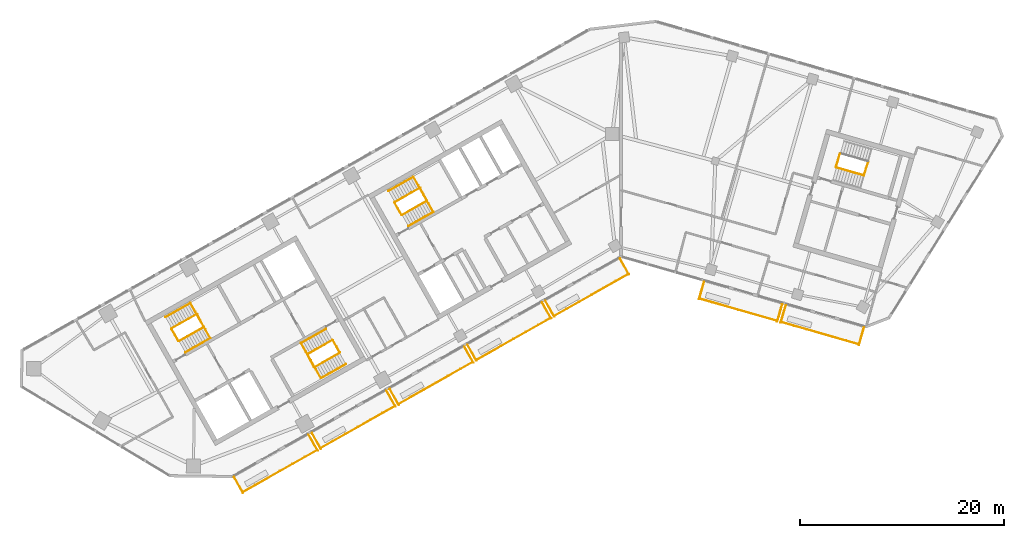
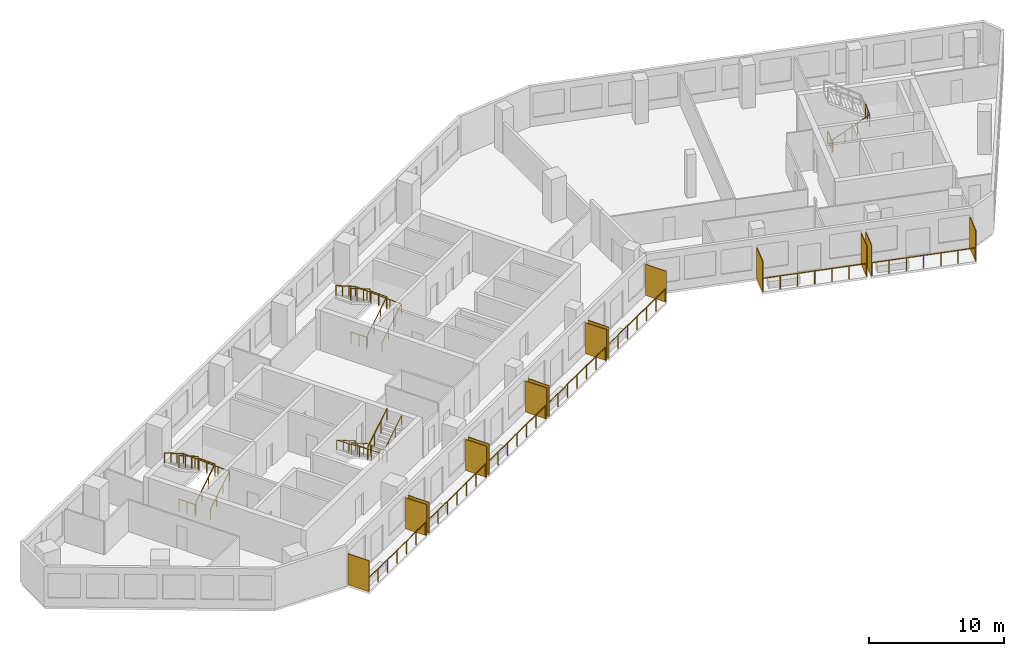
# One storey, part 10 of 12: 21 railings, 14 shading devices.
"""IFC4 building model written with IfcOpenShell, lengths in metres."""

from ifc_helpers import new_model, si_unit, direction, frame, origin, origin_2d, place, context, subcontext, project, spatial, rectangle, circle, extrude, material, layer, layer_set, type_object, element, save


model = new_model("IFC4")

# Units and contexts
model_context = context("Model", 3, precision=1e-05, world=origin(), true_north=direction((0.0, 1.0)))
body_context = subcontext(model_context, "Body", "Model", "MODEL_VIEW")
ifc_project = project(units=[si_unit("LENGTHUNIT", "METRE"), si_unit("AREAUNIT", "SQUARE_METRE"), si_unit("VOLUMEUNIT", "CUBIC_METRE"), si_unit("PLANEANGLEUNIT", "RADIAN"), si_unit("MASSUNIT", "GRAM", prefix="KILO")], contexts=[model_context])

# Site, building, storey
site_placement = place(None, origin())
site = spatial("IfcSite", under=ifc_project, at=site_placement, CompositionType="ELEMENT")
building_placement = place(site_placement, origin())
building = spatial("IfcBuilding", under=site, at=building_placement, Name="Binnacle Exchange Tower", CompositionType="ELEMENT")
storey_placement = place(building_placement, frame((0.0, 0.0, 242.60009765625)))
storey = spatial("IfcBuildingStorey", under=building, at=storey_placement, Name="L53", CompositionType="ELEMENT", Elevation=242.60009765625)

# Railings
ifc_material_1 = material(Name="Bronze anodised aluminium frame", Category="aluminium")
railing_type_1 = type_object("IfcRailingType", Name="GUARD 1200", PredefinedType="GUARDRAIL", material=ifc_material_1)
railing_1_placement = place(storey_placement, frame((-37.006591796875, 24.94287109375, 0.0)))
element("IfcRailing", 1, at=railing_1_placement, inside=storey, type_object=railing_type_1, Name="Balcony guard G01-B00 L53", PredefinedType="GUARDRAIL", context=body_context, shape_type="SweptSolid", body=[
    extrude(circle(Radius=0.02392578125, at=origin_2d()), frame((0.0, 0.0, 1.17578125), z_axis=(0.870353267448, 0.492427852424, 0.0), x_axis=(-0.492427852424, 0.870353267448, 0.0)), (0.0, 0.0, 1.0), 8.334716796875),
    extrude(circle(Radius=0.02099609375, at=origin_2d()), origin(), (0.0, 0.0, 1.0), 1.15185546875),
    extrude(circle(Radius=0.02099609375, at=origin_2d()), frame((1.208984375, 0.68408203125, 0.0)), (0.0, 0.0, 1.0), 1.15185546875),
    extrude(circle(Radius=0.02099609375, at=origin_2d()), frame((2.41796875, 1.3681640625, 0.0)), (0.0, 0.0, 1.0), 1.15185546875),
    extrude(circle(Radius=0.02099609375, at=origin_2d()), frame((3.626953125, 2.05224609375, 0.0)), (0.0, 0.0, 1.0), 1.15185546875),
    extrude(circle(Radius=0.02099609375, at=origin_2d()), frame((4.836181640625, 2.736083984375, 0.0)), (0.0, 0.0, 1.0), 1.15185546875),
    extrude(circle(Radius=0.02099609375, at=origin_2d()), frame((6.045166015625, 3.420166015625, 0.0)), (0.0, 0.0, 1.0), 1.15185546875),
    extrude(circle(Radius=0.02099609375, at=origin_2d()), frame((7.254150390625, 4.104248046875, 0.0)), (0.0, 0.0, 1.0), 1.15185546875),
])
railing_2_placement = place(storey_placement, frame((-29.386962890625, 29.25390625, 0.0)))
element("IfcRailing", 2, at=railing_2_placement, inside=storey, type_object=railing_type_1, Name="Balcony guard G01-B01 L53", PredefinedType="GUARDRAIL", context=body_context, shape_type="SweptSolid", body=[
    extrude(circle(Radius=0.02392578125, at=origin_2d()), frame((0.0, 0.0, 1.17578125), z_axis=(0.870365821494, 0.492405662818, 0.0), x_axis=(-0.492405662818, 0.870365821494, 0.0)), (0.0, 0.0, 1.0), 8.334716796875),
    extrude(circle(Radius=0.02099609375, at=origin_2d()), origin(), (0.0, 0.0, 1.0), 1.15185546875),
    extrude(circle(Radius=0.02099609375, at=origin_2d()), frame((1.208984375, 0.68408203125, 0.0)), (0.0, 0.0, 1.0), 1.15185546875),
    extrude(circle(Radius=0.02099609375, at=origin_2d()), frame((2.41796875, 1.367919921875, 0.0)), (0.0, 0.0, 1.0), 1.15185546875),
    extrude(circle(Radius=0.02099609375, at=origin_2d()), frame((3.626953125, 2.052001953125, 0.0)), (0.0, 0.0, 1.0), 1.15185546875),
    extrude(circle(Radius=0.02099609375, at=origin_2d()), frame((4.836181640625, 2.736083984375, 0.0)), (0.0, 0.0, 1.0), 1.15185546875),
    extrude(circle(Radius=0.02099609375, at=origin_2d()), frame((6.045166015625, 3.419921875, 0.0)), (0.0, 0.0, 1.0), 1.15185546875),
    extrude(circle(Radius=0.02099609375, at=origin_2d()), frame((7.254150390625, 4.10400390625, 0.0)), (0.0, 0.0, 1.0), 1.15185546875),
])
for number, where, name in (
    (3, (-21.767333984375, 33.564697265625, 0.0), "Balcony guard G01-B02 L53"),
    (4, (-14.147705078125, 37.875732421875, 0.0), "Balcony guard G01-B03 L53"),
):
    element("IfcRailing", number, at=place(storey_placement, frame(where)), inside=storey, type_object=railing_type_1, Name=name, PredefinedType="GUARDRAIL", context=body_context, shape_type="SweptSolid", body=[
        extrude(circle(Radius=0.02392578125, at=origin_2d()), frame((0.0, 0.0, 1.17578125), z_axis=(0.8703461643, 0.49244040684, 0.0), x_axis=(-0.49244040684, 0.8703461643, 0.0)), (0.0, 0.0, 1.0), 8.33447265625),
        extrude(circle(Radius=0.02099609375, at=origin_2d()), origin(), (0.0, 0.0, 1.0), 1.15185546875),
        extrude(circle(Radius=0.02099609375, at=origin_2d()), frame((1.208984375, 0.68408203125, 0.0)), (0.0, 0.0, 1.0), 1.15185546875),
        extrude(circle(Radius=0.02099609375, at=origin_2d()), frame((2.41796875, 1.3681640625, 0.0)), (0.0, 0.0, 1.0), 1.15185546875),
        extrude(circle(Radius=0.02099609375, at=origin_2d()), frame((3.626953125, 2.05224609375, 0.0)), (0.0, 0.0, 1.0), 1.15185546875),
        extrude(circle(Radius=0.02099609375, at=origin_2d()), frame((4.8359375, 2.736083984375, 0.0)), (0.0, 0.0, 1.0), 1.15185546875),
        extrude(circle(Radius=0.02099609375, at=origin_2d()), frame((6.044921875, 3.420166015625, 0.0)), (0.0, 0.0, 1.0), 1.15185546875),
        extrude(circle(Radius=0.02099609375, at=origin_2d()), frame((7.25390625, 4.104248046875, 0.0)), (0.0, 0.0, 1.0), 1.15185546875),
    ])
railing_3_placement = place(storey_placement, frame((-6.5283203125, 42.186767578125, 0.0)))
element("IfcRailing", 5, at=railing_3_placement, inside=storey, type_object=railing_type_1, Name="Balcony guard G01-B04 L53", PredefinedType="GUARDRAIL", context=body_context, shape_type="SweptSolid", body=[
    extrude(circle(Radius=0.02392578125, at=origin_2d()), frame((0.0, 0.0, 1.17578125), z_axis=(0.870365821494, 0.492405662818, 0.0), x_axis=(-0.492405662818, 0.870365821494, 0.0)), (0.0, 0.0, 1.0), 8.334716796875),
    extrude(circle(Radius=0.02099609375, at=origin_2d()), origin(), (0.0, 0.0, 1.0), 1.15185546875),
    extrude(circle(Radius=0.02099609375, at=origin_2d()), frame((1.208984375, 0.68408203125, 0.0)), (0.0, 0.0, 1.0), 1.15185546875),
    extrude(circle(Radius=0.02099609375, at=origin_2d()), frame((2.41796875, 1.367919921875, 0.0)), (0.0, 0.0, 1.0), 1.15185546875),
    extrude(circle(Radius=0.02099609375, at=origin_2d()), frame((3.626953125, 2.052001953125, 0.0)), (0.0, 0.0, 1.0), 1.15185546875),
    extrude(circle(Radius=0.02099609375, at=origin_2d()), frame((4.836181640625, 2.736083984375, 0.0)), (0.0, 0.0, 1.0), 1.15185546875),
    extrude(circle(Radius=0.02099609375, at=origin_2d()), frame((6.045166015625, 3.419921875, 0.0)), (0.0, 0.0, 1.0), 1.15185546875),
    extrude(circle(Radius=0.02099609375, at=origin_2d()), frame((7.254150390625, 4.10400390625, 0.0)), (0.0, 0.0, 1.0), 1.15185546875),
])
railing_4_placement = place(storey_placement, frame((7.69140625, 43.875244140625, 0.0)))
element("IfcRailing", 6, at=railing_4_placement, inside=storey, type_object=railing_type_1, Name="Balcony guard G02-B01 L53", PredefinedType="GUARDRAIL", context=body_context, shape_type="SweptSolid", body=[
    extrude(circle(Radius=0.02392578125, at=origin_2d()), frame((0.0, 0.0, 1.17578125), z_axis=(0.961259965977, -0.275643388836, 0.0), x_axis=(0.275643388836, 0.961259965977, 0.0)), (0.0, 0.0, 1.0), 7.900634765625),
    extrude(circle(Radius=0.02099609375, at=origin_2d()), origin(), (0.0, 0.0, 1.0), 1.15185546875),
    extrude(circle(Radius=0.02099609375, at=origin_2d()), frame((1.265625, -0.363037109375, 0.0)), (0.0, 0.0, 1.0), 1.15185546875),
    extrude(circle(Radius=0.02099609375, at=origin_2d()), frame((2.531494140625, -0.725830078125, 0.0)), (0.0, 0.0, 1.0), 1.15185546875),
    extrude(circle(Radius=0.02099609375, at=origin_2d()), frame((3.79736328125, -1.0888671875, 0.0)), (0.0, 0.0, 1.0), 1.15185546875),
    extrude(circle(Radius=0.02099609375, at=origin_2d()), frame((5.06298828125, -1.451904296875, 0.0)), (0.0, 0.0, 1.0), 1.15185546875),
    extrude(circle(Radius=0.02099609375, at=origin_2d()), frame((6.32861328125, -1.814697265625, 0.0)), (0.0, 0.0, 1.0), 1.15185546875),
    extrude(circle(Radius=0.02099609375, at=origin_2d()), frame((7.594482421875, -2.177734375, 0.0)), (0.0, 0.0, 1.0), 1.15185546875),
])
railing_5_placement = place(storey_placement, frame((15.689453125, 41.581787109375, 0.0)))
element("IfcRailing", 7, at=railing_5_placement, inside=storey, type_object=railing_type_1, Name="Balcony guard G02-B02 L53", PredefinedType="GUARDRAIL", context=body_context, shape_type="SweptSolid", body=[
    extrude(circle(Radius=0.02392578125, at=origin_2d()), frame((0.0, 0.0, 1.17578125), z_axis=(0.961257617982, -0.275651576943, 0.0), x_axis=(0.275651576943, 0.961257617982, 0.0)), (0.0, 0.0, 1.0), 7.900390625),
    extrude(circle(Radius=0.02099609375, at=origin_2d()), origin(), (0.0, 0.0, 1.0), 1.15185546875),
    extrude(circle(Radius=0.02099609375, at=origin_2d()), frame((1.265625, -0.363037109375, 0.0)), (0.0, 0.0, 1.0), 1.15185546875),
    extrude(circle(Radius=0.02099609375, at=origin_2d()), frame((2.531494140625, -0.725830078125, 0.0)), (0.0, 0.0, 1.0), 1.15185546875),
    extrude(circle(Radius=0.02099609375, at=origin_2d()), frame((3.797119140625, -1.0888671875, 0.0)), (0.0, 0.0, 1.0), 1.15185546875),
    extrude(circle(Radius=0.02099609375, at=origin_2d()), frame((5.062744140625, -1.451904296875, 0.0)), (0.0, 0.0, 1.0), 1.15185546875),
    extrude(circle(Radius=0.02099609375, at=origin_2d()), frame((6.32861328125, -1.814697265625, 0.0)), (0.0, 0.0, 1.0), 1.15185546875),
    extrude(circle(Radius=0.02099609375, at=origin_2d()), frame((7.59423828125, -2.177734375, 0.0)), (0.0, 0.0, 1.0), 1.15185546875),
])

# Shading devices
ifc_material_2 = material(Name="Bronze aluminium louvre", Category="aluminium")
ifc_layer = layer(ifc_material_2, 0.06005859375)
ifc_layer_set = layer_set([ifc_layer], Name="PLANTED SCREEN 60x2800")
shading_device_type = type_object("IfcShadingDeviceType", Name="PLANTED SCREEN 60x2800", PredefinedType="USERDEFINED", material=ifc_layer_set)
for number, where, z_axis, x_axis, name in (
    (8, (-37.436279296875, 25.641845703125, 0.0), (0.0, 0.0, 1.0), (0.87035569594, 0.492423560103, 0.0), "Planted screen G01-B00a L53"),
    (9, (-30.130126953125, 29.775390625, 0.0), (0.0, 0.0, 1.0), (0.87035569594, 0.492423560103, 0.0), "Planted screen G01-B00b L53"),
    (10, (-29.81689453125, 29.95263671875, 0.0), (0.0, 0.0, 1.0), (0.87035569594, 0.492423560103, 0.0), "Planted screen G01-B01a L53"),
    (11, (-22.510498046875, 34.08642578125, 0.0), (0.0, 0.0, 1.0), (0.87035569594, 0.492423560103, 0.0), "Planted screen G01-B01b L53"),
    (12, (-22.197265625, 34.263671875, 0.0), (0.0, 0.0, 1.0), (0.87035569594, 0.492423560103, 0.0), "Planted screen G01-B02a L53"),
    (13, (-14.89111328125, 38.3974609375, 0.0), (0.0, 0.0, 1.0), (0.87035569594, 0.492423560103, 0.0), "Planted screen G01-B02b L53"),
    (14, (-14.57763671875, 38.57470703125, 0.0), (0.0, 0.0, 1.0), (0.87035569594, 0.492423560103, 0.0), "Planted screen G01-B03a L53"),
    (15, (-7.271484375, 42.70849609375, 0.0), (0.0, 0.0, 1.0), (0.87035569594, 0.492423560103, 0.0), "Planted screen G01-B03b L53"),
    (16, (-6.9580078125, 42.885498046875, 0.0), (0.0, 0.0, 1.0), (0.87035569594, 0.492423560103, 0.0), "Planted screen G01-B04a L53"),
    (17, (0.34814453125, 47.019287109375, 0.0), (0.0, 0.0, 1.0), (0.87035569594, 0.492423560103, 0.0), "Planted screen G01-B04b L53"),
    (18, (7.888671875, 44.671630859375, 0.0), (0.0, 0.0, 1.0), (0.961261695938, -0.275637355817, 0.0), "Planted screen G02-B01a L53"),
    (19, (15.54052734375, 42.4775390625, 0.0), (0.0, 0.0, 1.0), (0.961261695938, -0.275637355817, 0.0), "Planted screen G02-B01b L53"),
    (20, (15.88671875, 42.37841796875, 0.0), (0.0, 0.0, 1.0), (0.961261695938, -0.275637355817, 0.0), "Planted screen G02-B02a L53"),
    (21, (23.538818359375, 40.18408203125, 0.0), (0.0, 0.0, 1.0), (0.961261695938, -0.275637355817, 0.0), "Planted screen G02-B02b L53"),
):
    element("IfcShadingDevice", number, at=place(storey_placement, frame(where, z_axis=z_axis, x_axis=x_axis)), inside=storey, type_object=shading_device_type, Name=name, ObjectType="SCREEN", PredefinedType="USERDEFINED", context=body_context, shape_type="SweptSolid", body=[
        extrude(rectangle(XDim=0.06005859375, YDim=1.800048828125, at=origin_2d()), origin(), (0.0, 0.0, 1.0), 2.800048828125),
    ])

# Railings
ifc_material_3 = material(Name="Steel guard rail", Category="steel")
railing_type_2 = type_object("IfcRailingType", Name="STAIR GUARD 1100", PredefinedType="GUARDRAIL", material=ifc_material_3)
railing_6_placement = place(storey_placement, frame((-43.26171875, 39.71728515625, 0.17724609375)))
element("IfcRailing", 22, at=railing_6_placement, inside=storey, type_object=railing_type_2, Name="L53 STA1 stair guard 1", PredefinedType="GUARDRAIL", context=body_context, shape_type="SweptSolid", body=[
    extrude(circle(Radius=0.02392578125, at=origin_2d()), frame((0.0, 0.0, 1.076171875), z_axis=(0.735358749054, 0.416079564682, 0.534906819964), x_axis=(-0.492453686477, 0.870338650569, 0.0)), (0.0, 0.0, 1.0), 3.31396484375),
    extrude(circle(Radius=0.02392578125, at=origin_2d()), frame((2.43701171875, 1.37890625, 2.8486328125), z_axis=(-0.461100321709, 0.887348011391, 0.0), x_axis=(-0.887348011391, -0.461100321709, 0.0)), (0.0, 0.0, 1.0), 1.40087890625),
    extrude(circle(Radius=0.02099609375, at=origin_2d()), origin(), (0.0, 0.0, 1.0), 1.052001953125),
    extrude(circle(Radius=0.02099609375, at=origin_2d()), frame((0.812255859375, 0.459716796875, 0.5908203125)), (0.0, 0.0, 1.0), 1.052001953125),
    extrude(circle(Radius=0.02099609375, at=origin_2d()), frame((1.624755859375, 0.919189453125, 1.181884765625)), (0.0, 0.0, 1.0), 1.052001953125),
    extrude(circle(Radius=0.02099609375, at=origin_2d()), frame((2.43701171875, 1.37890625, 1.772705078125)), (0.0, 0.0, 1.0), 1.052001953125),
    extrude(circle(Radius=0.02099609375, at=origin_2d()), frame((2.114013671875, 2.00048828125, 1.772705078125)), (0.0, 0.0, 1.0), 1.052001953125),
    extrude(circle(Radius=0.02099609375, at=origin_2d()), frame((1.791015625, 2.6220703125, 1.772705078125)), (0.0, 0.0, 1.0), 1.052001953125),
])
railing_7_placement = place(storey_placement, frame((-41.538818359375, 42.358154296875, 2.127197265625)))
element("IfcRailing", 23, at=railing_7_placement, inside=storey, type_object=railing_type_2, Name="L53 STA1 stair guard 2", PredefinedType="GUARDRAIL", context=body_context, shape_type="SweptSolid", body=[
    extrude(circle(Radius=0.02392578125, at=origin_2d()), frame((0.0, 0.0, 1.076171875), z_axis=(-0.735358749054, -0.416079564682, 0.534906819964), x_axis=(0.492453686477, -0.870338650569, 0.0)), (0.0, 0.0, 1.0), 3.31396484375),
    extrude(circle(Radius=0.02099609375, at=origin_2d()), origin(), (0.0, 0.0, 1.0), 1.052001953125),
    extrude(circle(Radius=0.02099609375, at=origin_2d()), frame((-0.812255859375, -0.459716796875, 0.5908203125)), (0.0, 0.0, 1.0), 1.052001953125),
    extrude(circle(Radius=0.02099609375, at=origin_2d()), frame((-1.624755859375, -0.919189453125, 1.181884765625)), (0.0, 0.0, 1.0), 1.052001953125),
    extrude(circle(Radius=0.02099609375, at=origin_2d()), frame((-2.43701171875, -1.37890625, 1.772705078125)), (0.0, 0.0, 1.0), 1.052001953125),
])
railing_8_placement = place(storey_placement, frame((-43.329833984375, 39.736328125, 0.0)))
element("IfcRailing", 24, at=railing_8_placement, inside=storey, type_object=railing_type_2, Name="L53 STA1 stair guard 3", PredefinedType="GUARDRAIL", context=body_context, shape_type="SweptSolid", body=[
    extrude(circle(Radius=0.02392578125, at=origin_2d()), frame((0.0, 0.0, 1.076171875), z_axis=(-0.4924922531, 0.870316827734, 0.0), x_axis=(-0.870316827734, -0.4924922531, 0.0)), (0.0, 0.0, 1.0), 1.349853515625),
    extrude(circle(Radius=0.02099609375, at=origin_2d()), origin(), (0.0, 0.0, 1.0), 1.052001953125),
    extrude(circle(Radius=0.02099609375, at=origin_2d()), frame((-0.33251953125, 0.58740234375, 0.0)), (0.0, 0.0, 1.0), 1.052001953125),
    extrude(circle(Radius=0.02099609375, at=origin_2d()), frame((-0.664794921875, 1.1748046875, 0.0)), (0.0, 0.0, 1.0), 1.052001953125),
])
railing_9_placement = place(storey_placement, frame((-28.265380859375, 39.814453125, 0.17724609375)))
element("IfcRailing", 25, at=railing_9_placement, inside=storey, type_object=railing_type_2, Name="L53 STA2 stair guard 1", PredefinedType="GUARDRAIL", context=body_context, shape_type="SweptSolid", body=[
    extrude(circle(Radius=0.02392578125, at=origin_2d()), frame((0.0, 0.0, 1.076171875), z_axis=(-0.735381288273, -0.416018647052, 0.534923215202), x_axis=(0.492387636113, -0.870376019777, 0.0)), (0.0, 0.0, 1.0), 3.31396484375),
    extrude(circle(Radius=0.02392578125, at=origin_2d()), frame((-2.43701171875, -1.378662109375, 2.8486328125), z_axis=(0.460963092712, -0.887419307406, 0.0), x_axis=(0.887419307406, 0.460963092712, 0.0)), (0.0, 0.0, 1.0), 1.40087890625),
    extrude(circle(Radius=0.02099609375, at=origin_2d()), origin(), (0.0, 0.0, 1.0), 1.052001953125),
    extrude(circle(Radius=0.02099609375, at=origin_2d()), frame((-0.812255859375, -0.45947265625, 0.5908203125)), (0.0, 0.0, 1.0), 1.052001953125),
    extrude(circle(Radius=0.02099609375, at=origin_2d()), frame((-1.624755859375, -0.919189453125, 1.181884765625)), (0.0, 0.0, 1.0), 1.052001953125),
    extrude(circle(Radius=0.02099609375, at=origin_2d()), frame((-2.43701171875, -1.378662109375, 1.772705078125)), (0.0, 0.0, 1.0), 1.052001953125),
    extrude(circle(Radius=0.02099609375, at=origin_2d()), frame((-2.1142578125, -2.000244140625, 1.772705078125)), (0.0, 0.0, 1.0), 1.052001953125),
    extrude(circle(Radius=0.02099609375, at=origin_2d()), frame((-1.791259765625, -2.621826171875, 1.772705078125)), (0.0, 0.0, 1.0), 1.052001953125),
])
railing_10_placement = place(storey_placement, frame((-29.988525390625, 37.173583984375, 2.127197265625)))
element("IfcRailing", 26, at=railing_10_placement, inside=storey, type_object=railing_type_2, Name="L53 STA2 stair guard 2", PredefinedType="GUARDRAIL", context=body_context, shape_type="SweptSolid", body=[
    extrude(circle(Radius=0.02392578125, at=origin_2d()), frame((0.0, 0.0, 1.076171875), z_axis=(0.735358749054, 0.416079564682, 0.534906819964), x_axis=(-0.492453686477, 0.870338650569, 0.0)), (0.0, 0.0, 1.0), 3.31396484375),
    extrude(circle(Radius=0.02099609375, at=origin_2d()), origin(), (0.0, 0.0, 1.0), 1.052001953125),
    extrude(circle(Radius=0.02099609375, at=origin_2d()), frame((0.812255859375, 0.459716796875, 0.5908203125)), (0.0, 0.0, 1.0), 1.052001953125),
    extrude(circle(Radius=0.02099609375, at=origin_2d()), frame((1.624755859375, 0.919189453125, 1.181884765625)), (0.0, 0.0, 1.0), 1.052001953125),
    extrude(circle(Radius=0.02099609375, at=origin_2d()), frame((2.43701171875, 1.37890625, 1.772705078125)), (0.0, 0.0, 1.0), 1.052001953125),
])
railing_11_placement = place(storey_placement, frame((-28.197265625, 39.795654296875, 0.0)))
element("IfcRailing", 27, at=railing_11_placement, inside=storey, type_object=railing_type_2, Name="L53 STA2 stair guard 3", PredefinedType="GUARDRAIL", context=body_context, shape_type="SweptSolid", body=[
    extrude(circle(Radius=0.02392578125, at=origin_2d()), frame((0.0, 0.0, 1.076171875), z_axis=(0.49241474071, -0.870360685654, 0.0), x_axis=(0.870360685654, 0.49241474071, 0.0)), (0.0, 0.0, 1.0), 1.35009765625),
    extrude(circle(Radius=0.02099609375, at=origin_2d()), origin(), (0.0, 0.0, 1.0), 1.052001953125),
    extrude(circle(Radius=0.02099609375, at=origin_2d()), frame((0.33251953125, -0.58740234375, 0.0)), (0.0, 0.0, 1.0), 1.052001953125),
    extrude(circle(Radius=0.02099609375, at=origin_2d()), frame((0.664794921875, -1.175048828125, 0.0)), (0.0, 0.0, 1.0), 1.052001953125),
])
railing_12_placement = place(storey_placement, frame((-21.423828125, 52.07275390625, 0.17724609375)))
element("IfcRailing", 28, at=railing_12_placement, inside=storey, type_object=railing_type_2, Name="L53 STC1 stair guard 1", PredefinedType="GUARDRAIL", context=body_context, shape_type="SweptSolid", body=[
    extrude(circle(Radius=0.02392578125, at=origin_2d()), frame((0.0, 0.0, 1.076171875), z_axis=(0.735381288273, 0.416018647052, 0.534923215202), x_axis=(-0.492387636113, 0.870376019777, 0.0)), (0.0, 0.0, 1.0), 3.31396484375),
    extrude(circle(Radius=0.02392578125, at=origin_2d()), frame((2.43701171875, 1.378662109375, 2.8486328125), z_axis=(-0.460963092712, 0.887419307406, 0.0), x_axis=(-0.887419307406, -0.460963092712, 0.0)), (0.0, 0.0, 1.0), 1.40087890625),
    extrude(circle(Radius=0.02099609375, at=origin_2d()), origin(), (0.0, 0.0, 1.0), 1.052001953125),
    extrude(circle(Radius=0.02099609375, at=origin_2d()), frame((0.812255859375, 0.45947265625, 0.5908203125)), (0.0, 0.0, 1.0), 1.052001953125),
    extrude(circle(Radius=0.02099609375, at=origin_2d()), frame((1.624755859375, 0.919189453125, 1.181884765625)), (0.0, 0.0, 1.0), 1.052001953125),
    extrude(circle(Radius=0.02099609375, at=origin_2d()), frame((2.43701171875, 1.378662109375, 1.772705078125)), (0.0, 0.0, 1.0), 1.052001953125),
    extrude(circle(Radius=0.02099609375, at=origin_2d()), frame((2.1142578125, 2.000244140625, 1.772705078125)), (0.0, 0.0, 1.0), 1.052001953125),
    extrude(circle(Radius=0.02099609375, at=origin_2d()), frame((1.791259765625, 2.621826171875, 1.772705078125)), (0.0, 0.0, 1.0), 1.052001953125),
])
railing_13_placement = place(storey_placement, frame((-19.70068359375, 54.71337890625, 2.127197265625)))
element("IfcRailing", 29, at=railing_13_placement, inside=storey, type_object=railing_type_2, Name="L53 STC1 stair guard 2", PredefinedType="GUARDRAIL", context=body_context, shape_type="SweptSolid", body=[
    extrude(circle(Radius=0.02392578125, at=origin_2d()), frame((0.0, 0.0, 1.076171875), z_axis=(-0.735381288273, -0.416018647052, 0.534923215202), x_axis=(0.492387636113, -0.870376019777, 0.0)), (0.0, 0.0, 1.0), 3.31396484375),
    extrude(circle(Radius=0.02099609375, at=origin_2d()), origin(), (0.0, 0.0, 1.0), 1.052001953125),
    extrude(circle(Radius=0.02099609375, at=origin_2d()), frame((-0.812255859375, -0.45947265625, 0.5908203125)), (0.0, 0.0, 1.0), 1.052001953125),
    extrude(circle(Radius=0.02099609375, at=origin_2d()), frame((-1.624755859375, -0.919189453125, 1.181884765625)), (0.0, 0.0, 1.0), 1.052001953125),
    extrude(circle(Radius=0.02099609375, at=origin_2d()), frame((-2.43701171875, -1.378662109375, 1.772705078125)), (0.0, 0.0, 1.0), 1.052001953125),
])
railing_14_placement = place(storey_placement, frame((-21.491943359375, 52.091552734375, 0.0)))
element("IfcRailing", 30, at=railing_14_placement, inside=storey, type_object=railing_type_2, Name="L53 STC1 stair guard 3", PredefinedType="GUARDRAIL", context=body_context, shape_type="SweptSolid", body=[
    extrude(circle(Radius=0.02392578125, at=origin_2d()), frame((0.0, 0.0, 1.076171875), z_axis=(-0.49241474071, 0.870360685654, 0.0), x_axis=(-0.870360685654, -0.49241474071, 0.0)), (0.0, 0.0, 1.0), 1.35009765625),
    extrude(circle(Radius=0.02099609375, at=origin_2d()), origin(), (0.0, 0.0, 1.0), 1.052001953125),
    extrude(circle(Radius=0.02099609375, at=origin_2d()), frame((-0.33251953125, 0.58740234375, 0.0)), (0.0, 0.0, 1.0), 1.052001953125),
    extrude(circle(Radius=0.02099609375, at=origin_2d()), frame((-0.664794921875, 1.175048828125, 0.0)), (0.0, 0.0, 1.0), 1.052001953125),
])
railing_15_placement = place(storey_placement, frame((21.086669921875, 56.71044921875, 0.17724609375)))
element("IfcRailing", 31, at=railing_15_placement, inside=storey, type_object=railing_type_2, Name="L53 STD1 stair guard 1", PredefinedType="GUARDRAIL", context=body_context, shape_type="SweptSolid", body=[
    extrude(circle(Radius=0.02392578125, at=origin_2d()), frame((0.0, 0.0, 1.076171875), z_axis=(0.81215085225, -0.232948203448, 0.534926282491), x_axis=(0.275711388614, 0.96124046429, 0.0)), (0.0, 0.0, 1.0), 3.31396484375),
    extrude(circle(Radius=0.02392578125, at=origin_2d()), frame((2.69140625, -0.77197265625, 2.8486328125), z_axis=(0.309842533299, 0.950787886208, 0.0), x_axis=(-0.950787886208, 0.309842533299, 0.0)), (0.0, 0.0, 1.0), 1.40087890625),
    extrude(circle(Radius=0.02099609375, at=origin_2d()), origin(), (0.0, 0.0, 1.0), 1.052001953125),
    extrude(circle(Radius=0.02099609375, at=origin_2d()), frame((0.897216796875, -0.25732421875, 0.5908203125)), (0.0, 0.0, 1.0), 1.052001953125),
    extrude(circle(Radius=0.02099609375, at=origin_2d()), frame((1.794189453125, -0.5146484375, 1.181884765625)), (0.0, 0.0, 1.0), 1.052001953125),
    extrude(circle(Radius=0.02099609375, at=origin_2d()), frame((2.69140625, -0.77197265625, 1.772705078125)), (0.0, 0.0, 1.0), 1.052001953125),
    extrude(circle(Radius=0.02099609375, at=origin_2d()), frame((2.908447265625, -0.10595703125, 1.772705078125)), (0.0, 0.0, 1.0), 1.052001953125),
    extrude(circle(Radius=0.02099609375, at=origin_2d()), frame((3.12548828125, 0.56005859375, 1.772705078125)), (0.0, 0.0, 1.0), 1.052001953125),
])
railing_16_placement = place(storey_placement, frame((21.05224609375, 56.772216796875, 0.0)))
element("IfcRailing", 32, at=railing_16_placement, inside=storey, type_object=railing_type_2, Name="L53 STD1 stair guard 3", PredefinedType="GUARDRAIL", context=body_context, shape_type="SweptSolid", body=[
    extrude(circle(Radius=0.02392578125, at=origin_2d()), frame((0.0, 0.0, 1.076171875), z_axis=(0.275795817769, 0.961216243569, 0.0), x_axis=(-0.961216243569, 0.275795817769, 0.0)), (0.0, 0.0, 1.0), 1.349853515625),
    extrude(circle(Radius=0.02099609375, at=origin_2d()), origin(), (0.0, 0.0, 1.0), 1.052001953125),
    extrude(circle(Radius=0.02099609375, at=origin_2d()), frame((0.18603515625, 0.64892578125, 0.0)), (0.0, 0.0, 1.0), 1.052001953125),
    extrude(circle(Radius=0.02099609375, at=origin_2d()), frame((0.372314453125, 1.297607421875, 0.0)), (0.0, 0.0, 1.0), 1.052001953125),
])
ifc_material_4 = material(Name="Steel handrail", Category="steel")
railing_type_3 = type_object("IfcRailingType", Name="STAIR HANDRAIL 900", PredefinedType="HANDRAIL", material=ifc_material_4)
railing_17_placement = place(storey_placement, frame((-42.646240234375, 38.62939453125, 0.17724609375)))
element("IfcRailing", 33, at=railing_17_placement, inside=storey, type_object=railing_type_3, Name="L53 STA1 stair handrail 1", PredefinedType="HANDRAIL", context=body_context, shape_type="SweptSolid", body=[
    extrude(circle(Radius=0.02392578125, at=origin_2d()), frame((0.0, 0.0, 0.8759765625), z_axis=(0.735381288273, 0.416018647052, 0.534923215202), x_axis=(-0.492387636113, 0.870376019777, 0.0)), (0.0, 0.0, 1.0), 3.31396484375),
    extrude(circle(Radius=0.02392578125, at=origin_2d()), frame((2.43701171875, 1.378662109375, 2.6484375), z_axis=(-0.491918640963, 0.869486419234, 0.044826526087), x_axis=(-0.870361318571, -0.492413622004, 0.0)), (0.0, 0.0, 1.0), 3.9541015625),
    extrude(circle(Radius=0.02392578125, at=origin_2d()), frame((0.491943359375, 4.816650390625, 2.82568359375), z_axis=(-0.735381288273, -0.416018647052, 0.534923215202), x_axis=(0.492387636113, -0.870376019777, 0.0)), (0.0, 0.0, 1.0), 3.31396484375),
    extrude(circle(Radius=0.02099609375, at=origin_2d()), origin(), (0.0, 0.0, 1.0), 0.851806640625),
    extrude(circle(Radius=0.02099609375, at=origin_2d()), frame((0.812255859375, 0.45947265625, 0.5908203125)), (0.0, 0.0, 1.0), 0.851806640625),
    extrude(circle(Radius=0.02099609375, at=origin_2d()), frame((1.624755859375, 0.919189453125, 1.181884765625)), (0.0, 0.0, 1.0), 0.851806640625),
    extrude(circle(Radius=0.02099609375, at=origin_2d()), frame((2.43701171875, 1.378662109375, 1.772705078125)), (0.0, 0.0, 1.0), 0.851806640625),
    extrude(circle(Radius=0.02099609375, at=origin_2d()), frame((1.95068359375, 2.23828125, 1.81689453125)), (0.0, 0.0, 1.0), 0.851806640625),
    extrude(circle(Radius=0.02099609375, at=origin_2d()), frame((1.46435546875, 3.09765625, 1.861328125)), (0.0, 0.0, 1.0), 0.851806640625),
    extrude(circle(Radius=0.02099609375, at=origin_2d()), frame((0.978271484375, 3.95703125, 1.90576171875)), (0.0, 0.0, 1.0), 0.851806640625),
    extrude(circle(Radius=0.02099609375, at=origin_2d()), frame((0.491943359375, 4.816650390625, 1.949951171875)), (0.0, 0.0, 1.0), 0.851806640625),
    extrude(circle(Radius=0.02099609375, at=origin_2d()), frame((-0.3203125, 4.357177734375, 2.540771484375)), (0.0, 0.0, 1.0), 0.851806640625),
    extrude(circle(Radius=0.02099609375, at=origin_2d()), frame((-1.1328125, 3.8974609375, 3.1318359375)), (0.0, 0.0, 1.0), 0.851806640625),
    extrude(circle(Radius=0.02099609375, at=origin_2d()), frame((-1.945068359375, 3.43798828125, 3.72265625)), (0.0, 0.0, 1.0), 0.851806640625),
])
railing_18_placement = place(storey_placement, frame((-28.880859375, 40.90234375, 0.17724609375)))
element("IfcRailing", 34, at=railing_18_placement, inside=storey, type_object=railing_type_3, Name="L53 STA2 stair handrail 1", PredefinedType="HANDRAIL", context=body_context, shape_type="SweptSolid", body=[
    extrude(circle(Radius=0.02392578125, at=origin_2d()), frame((0.0, 0.0, 0.8759765625), z_axis=(-0.735381288273, -0.416018647052, 0.534923215202), x_axis=(0.492387636113, -0.870376019777, 0.0)), (0.0, 0.0, 1.0), 3.31396484375),
    extrude(circle(Radius=0.02392578125, at=origin_2d()), frame((-2.43701171875, -1.378662109375, 2.6484375), z_axis=(0.491918640963, -0.869486419234, 0.044826526087), x_axis=(0.870361318571, 0.492413622004, 0.0)), (0.0, 0.0, 1.0), 3.9541015625),
    extrude(circle(Radius=0.02392578125, at=origin_2d()), frame((-0.491943359375, -4.816650390625, 2.82568359375), z_axis=(0.735358749054, 0.416079564682, 0.534906819964), x_axis=(-0.492453686477, 0.870338650569, 0.0)), (0.0, 0.0, 1.0), 3.31396484375),
    extrude(circle(Radius=0.02099609375, at=origin_2d()), origin(), (0.0, 0.0, 1.0), 0.851806640625),
    extrude(circle(Radius=0.02099609375, at=origin_2d()), frame((-0.812255859375, -0.45947265625, 0.5908203125)), (0.0, 0.0, 1.0), 0.851806640625),
    extrude(circle(Radius=0.02099609375, at=origin_2d()), frame((-1.624755859375, -0.919189453125, 1.181884765625)), (0.0, 0.0, 1.0), 0.851806640625),
    extrude(circle(Radius=0.02099609375, at=origin_2d()), frame((-2.43701171875, -1.378662109375, 1.772705078125)), (0.0, 0.0, 1.0), 0.851806640625),
    extrude(circle(Radius=0.02099609375, at=origin_2d()), frame((-1.95068359375, -2.23828125, 1.81689453125)), (0.0, 0.0, 1.0), 0.851806640625),
    extrude(circle(Radius=0.02099609375, at=origin_2d()), frame((-1.46435546875, -3.09765625, 1.861328125)), (0.0, 0.0, 1.0), 0.851806640625),
    extrude(circle(Radius=0.02099609375, at=origin_2d()), frame((-0.978271484375, -3.95703125, 1.90576171875)), (0.0, 0.0, 1.0), 0.851806640625),
    extrude(circle(Radius=0.02099609375, at=origin_2d()), frame((-0.491943359375, -4.816650390625, 1.949951171875)), (0.0, 0.0, 1.0), 0.851806640625),
    extrude(circle(Radius=0.02099609375, at=origin_2d()), frame((0.3203125, -4.35693359375, 2.540771484375)), (0.0, 0.0, 1.0), 0.851806640625),
    extrude(circle(Radius=0.02099609375, at=origin_2d()), frame((1.1328125, -3.8974609375, 3.1318359375)), (0.0, 0.0, 1.0), 0.851806640625),
    extrude(circle(Radius=0.02099609375, at=origin_2d()), frame((1.945068359375, -3.437744140625, 3.72265625)), (0.0, 0.0, 1.0), 0.851806640625),
])
railing_19_placement = place(storey_placement, frame((-20.808349609375, 50.984619140625, 0.17724609375)))
element("IfcRailing", 35, at=railing_19_placement, inside=storey, type_object=railing_type_3, Name="L53 STC1 stair handrail 1", PredefinedType="HANDRAIL", context=body_context, shape_type="SweptSolid", body=[
    extrude(circle(Radius=0.02392578125, at=origin_2d()), frame((0.0, 0.0, 0.8759765625), z_axis=(0.735358749054, 0.416079564682, 0.534906819964), x_axis=(-0.492453686477, 0.870338650569, 0.0)), (0.0, 0.0, 1.0), 3.31396484375),
    extrude(circle(Radius=0.02392578125, at=origin_2d()), frame((2.43701171875, 1.37890625, 2.6484375), z_axis=(-0.491945051309, 0.869471352766, 0.044828932754), x_axis=(-0.87034633103, -0.492440112159, 0.0)), (0.0, 0.0, 1.0), 3.953857421875),
    extrude(circle(Radius=0.02392578125, at=origin_2d()), frame((0.491943359375, 4.816650390625, 2.82568359375), z_axis=(-0.735381288273, -0.416018647052, 0.534923215202), x_axis=(0.492387636113, -0.870376019777, 0.0)), (0.0, 0.0, 1.0), 3.31396484375),
    extrude(circle(Radius=0.02099609375, at=origin_2d()), origin(), (0.0, 0.0, 1.0), 0.851806640625),
    extrude(circle(Radius=0.02099609375, at=origin_2d()), frame((0.812255859375, 0.459716796875, 0.5908203125)), (0.0, 0.0, 1.0), 0.851806640625),
    extrude(circle(Radius=0.02099609375, at=origin_2d()), frame((1.624755859375, 0.919189453125, 1.181884765625)), (0.0, 0.0, 1.0), 0.851806640625),
    extrude(circle(Radius=0.02099609375, at=origin_2d()), frame((2.43701171875, 1.37890625, 1.772705078125)), (0.0, 0.0, 1.0), 0.851806640625),
    extrude(circle(Radius=0.02099609375, at=origin_2d()), frame((1.95068359375, 2.23828125, 1.81689453125)), (0.0, 0.0, 1.0), 0.851806640625),
    extrude(circle(Radius=0.02099609375, at=origin_2d()), frame((1.46435546875, 3.09765625, 1.861328125)), (0.0, 0.0, 1.0), 0.851806640625),
    extrude(circle(Radius=0.02099609375, at=origin_2d()), frame((0.978271484375, 3.957275390625, 1.90576171875)), (0.0, 0.0, 1.0), 0.851806640625),
    extrude(circle(Radius=0.02099609375, at=origin_2d()), frame((0.491943359375, 4.816650390625, 1.949951171875)), (0.0, 0.0, 1.0), 0.851806640625),
    extrude(circle(Radius=0.02099609375, at=origin_2d()), frame((-0.3203125, 4.357177734375, 2.540771484375)), (0.0, 0.0, 1.0), 0.851806640625),
    extrude(circle(Radius=0.02099609375, at=origin_2d()), frame((-1.1328125, 3.8974609375, 3.1318359375)), (0.0, 0.0, 1.0), 0.851806640625),
    extrude(circle(Radius=0.02099609375, at=origin_2d()), frame((-1.945068359375, 3.43798828125, 3.72265625)), (0.0, 0.0, 1.0), 0.851806640625),
])

save(model, "model.ifc")
